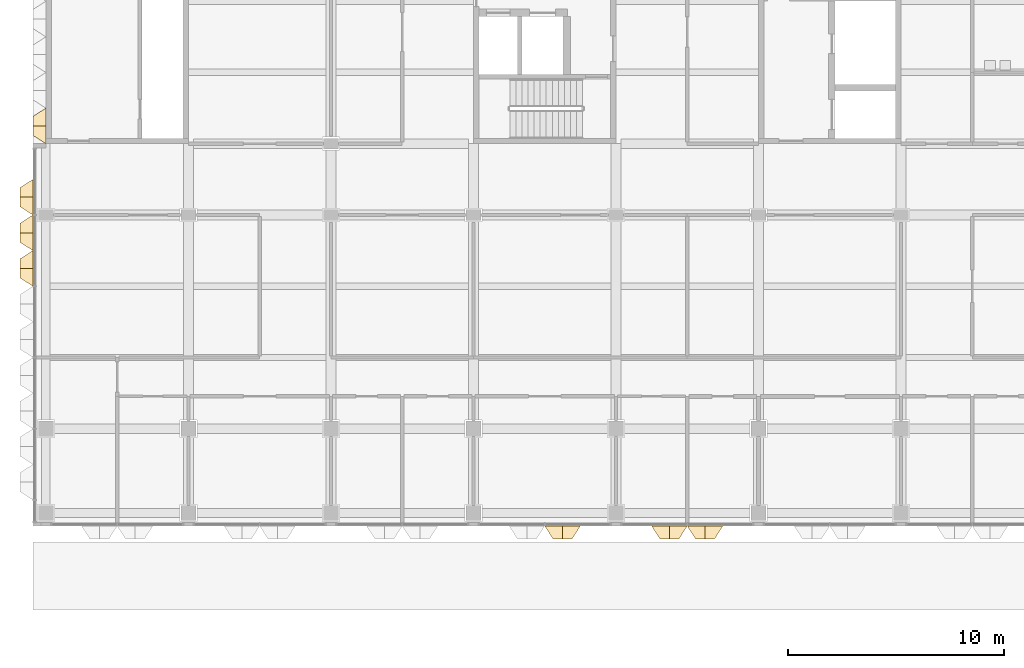
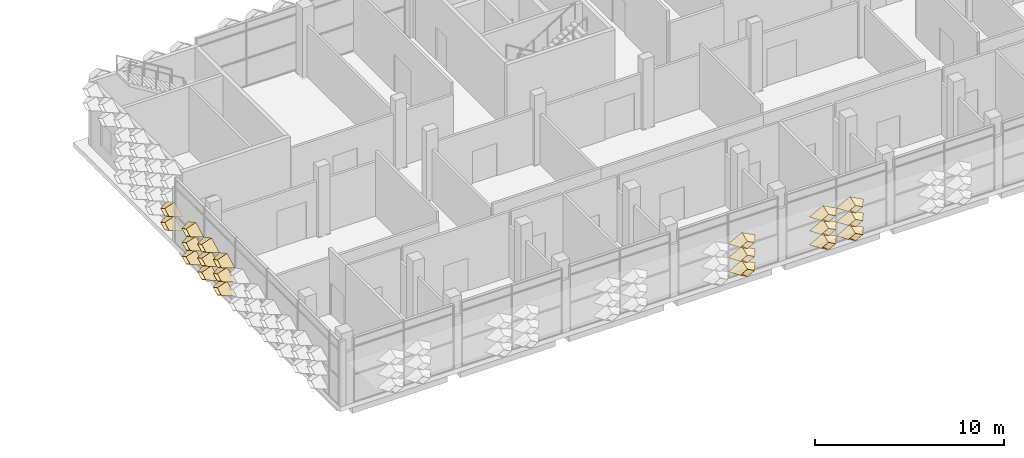
# One storey, part 64 of 109: 20 coverings.
"""IFC4 building model written with IfcOpenShell, lengths in metres."""

from ifc_helpers import new_model, entity, si_unit, direction, frame, origin, place, context, subcontext, project, spatial, material, layer, layer_set, type_object, element, save


model = new_model("IFC4")

# Units and contexts
model_context = context("Model", 3, precision=1e-05, world=origin(), true_north=direction((0.0, 1.0)))
body_context = subcontext(model_context, "Body", "Model", "MODEL_VIEW")
ifc_project = project(units=[si_unit("LENGTHUNIT", "METRE"), si_unit("AREAUNIT", "SQUARE_METRE"), si_unit("VOLUMEUNIT", "CUBIC_METRE"), si_unit("PLANEANGLEUNIT", "RADIAN"), si_unit("MASSUNIT", "GRAM", prefix="KILO")], contexts=[model_context])

# Site, building, storey
site_placement = place(None, origin())
site = spatial("IfcSite", under=ifc_project, at=site_placement, CompositionType="ELEMENT")
building_placement = place(site_placement, origin())
building = spatial("IfcBuilding", under=site, at=building_placement, Name="Lantern Court Research Institute", CompositionType="ELEMENT")
storey_placement = place(building_placement, frame((0.0, 0.0, 14.39990234375)))
storey = spatial("IfcBuildingStorey", under=building, at=storey_placement, Name="L03", CompositionType="ELEMENT", Elevation=14.39990234375)

# Coverings
ifc_material = material(Name="Anodised aluminium", Category="aluminium")
ifc_layer = layer(ifc_material, 0.01611328125)
ifc_layer_set = layer_set([ifc_layer], Name="Anodised aluminium")
covering_type = type_object("IfcCoveringType", Name="Fin cassette 1650 x 900 x 600 aluminium", PredefinedType="CLADDING", material=ifc_layer_set)
covering_1_placement = place(storey_placement, frame((23.925048828125, -4.5, 0.4501953125), z_axis=(0.0, -1.0, 0.0), x_axis=(1.0, 0.0, 0.0)))
cartesian_point_1 = entity("IfcCartesianPoint", [0.824951171875, 0.0])
cartesian_point_2 = entity("IfcCartesianPoint", [0.79150390625, 0.0])
cartesian_point_3 = entity("IfcCartesianPoint", [0.44189453125, 0.0])
cartesian_point_4 = entity("IfcCartesianPoint", [0.43359375, 0.0])
element("IfcCovering", 1, at=covering_1_placement, inside=storey, type_object=covering_type, Name="Fin cassette V4S-L03 1.15", PredefinedType="CLADDING", context=body_context, shape_type="SweptSolid", body=[
    entity("IfcExtrudedAreaSolidTapered", entity("IfcArbitraryProfileDefWithVoids", "AREA", None, entity("IfcPolyline", [cartesian_point_1, entity("IfcCartesianPoint", [0.0, 0.449951171875]), entity("IfcCartesianPoint", [-0.824951171875, 0.0]), entity("IfcCartesianPoint", [0.0, -0.449951171875]), cartesian_point_1]), [entity("IfcPolyline", [cartesian_point_2, entity("IfcCartesianPoint", [0.0, 0.431884765625]), entity("IfcCartesianPoint", [-0.79150390625, 0.0]), entity("IfcCartesianPoint", [0.0, -0.431884765625]), cartesian_point_2])]), entity("IfcAxis2Placement3D", entity("IfcCartesianPoint", [0.0, 0.0, 0.0])), entity("IfcDirection", [0.0, 0.0, 1.0]), 0.60009765625, entity("IfcArbitraryProfileDefWithVoids", "AREA", None, entity("IfcPolyline", [cartesian_point_3, entity("IfcCartesianPoint", [0.0, 0.240966796875]), entity("IfcCartesianPoint", [-0.44189453125, 0.0]), entity("IfcCartesianPoint", [0.0, -0.240966796875]), cartesian_point_3]), [entity("IfcPolyline", [cartesian_point_4, entity("IfcCartesianPoint", [0.0, 0.236572265625]), entity("IfcCartesianPoint", [-0.43359375, 0.0]), entity("IfcCartesianPoint", [0.0, -0.236572265625]), cartesian_point_4])])),
])
covering_2_placement = place(storey_placement, frame((28.875, -4.5, 0.4501953125), z_axis=(0.0, -1.0, 0.0), x_axis=(1.0, 0.0, 0.0)))
cartesian_point_5 = entity("IfcCartesianPoint", [0.824951171875, 0.0])
cartesian_point_6 = entity("IfcCartesianPoint", [0.79150390625, 0.0])
cartesian_point_7 = entity("IfcCartesianPoint", [0.44189453125, 0.0])
cartesian_point_8 = entity("IfcCartesianPoint", [0.43359375, 0.0])
element("IfcCovering", 2, at=covering_2_placement, inside=storey, type_object=covering_type, Name="Fin cassette V4S-L03 1.18", PredefinedType="CLADDING", context=body_context, shape_type="SweptSolid", body=[
    entity("IfcExtrudedAreaSolidTapered", entity("IfcArbitraryProfileDefWithVoids", "AREA", None, entity("IfcPolyline", [cartesian_point_5, entity("IfcCartesianPoint", [0.0, 0.449951171875]), entity("IfcCartesianPoint", [-0.824951171875, 0.0]), entity("IfcCartesianPoint", [0.0, -0.449951171875]), cartesian_point_5]), [entity("IfcPolyline", [cartesian_point_6, entity("IfcCartesianPoint", [0.0, 0.431884765625]), entity("IfcCartesianPoint", [-0.79150390625, 0.0]), entity("IfcCartesianPoint", [0.0, -0.431884765625]), cartesian_point_6])]), entity("IfcAxis2Placement3D", entity("IfcCartesianPoint", [0.0, 0.0, 0.0])), entity("IfcDirection", [0.0, 0.0, 1.0]), 0.60009765625, entity("IfcArbitraryProfileDefWithVoids", "AREA", None, entity("IfcPolyline", [cartesian_point_7, entity("IfcCartesianPoint", [0.0, 0.240966796875]), entity("IfcCartesianPoint", [-0.44189453125, 0.0]), entity("IfcCartesianPoint", [0.0, -0.240966796875]), cartesian_point_7]), [entity("IfcPolyline", [cartesian_point_8, entity("IfcCartesianPoint", [0.0, 0.236572265625]), entity("IfcCartesianPoint", [-0.43359375, 0.0]), entity("IfcCartesianPoint", [0.0, -0.236572265625]), cartesian_point_8])])),
])
covering_3_placement = place(storey_placement, frame((30.52490234375, -4.5, 0.4501953125), z_axis=(0.0, -1.0, 0.0), x_axis=(1.0, 0.0, 0.0)))
cartesian_point_9 = entity("IfcCartesianPoint", [0.824951171875, 0.0])
cartesian_point_10 = entity("IfcCartesianPoint", [0.79150390625, 0.0])
cartesian_point_11 = entity("IfcCartesianPoint", [0.44189453125, 0.0])
cartesian_point_12 = entity("IfcCartesianPoint", [0.43359375, 0.0])
element("IfcCovering", 3, at=covering_3_placement, inside=storey, type_object=covering_type, Name="Fin cassette V4S-L03 1.19", PredefinedType="CLADDING", context=body_context, shape_type="SweptSolid", body=[
    entity("IfcExtrudedAreaSolidTapered", entity("IfcArbitraryProfileDefWithVoids", "AREA", None, entity("IfcPolyline", [cartesian_point_9, entity("IfcCartesianPoint", [0.0, 0.449951171875]), entity("IfcCartesianPoint", [-0.824951171875, 0.0]), entity("IfcCartesianPoint", [0.0, -0.449951171875]), cartesian_point_9]), [entity("IfcPolyline", [cartesian_point_10, entity("IfcCartesianPoint", [0.0, 0.431884765625]), entity("IfcCartesianPoint", [-0.79150390625, 0.0]), entity("IfcCartesianPoint", [0.0, -0.431884765625]), cartesian_point_10])]), entity("IfcAxis2Placement3D", entity("IfcCartesianPoint", [0.0, 0.0, 0.0])), entity("IfcDirection", [0.0, 0.0, 1.0]), 0.60009765625, entity("IfcArbitraryProfileDefWithVoids", "AREA", None, entity("IfcPolyline", [cartesian_point_11, entity("IfcCartesianPoint", [0.0, 0.240966796875]), entity("IfcCartesianPoint", [-0.44189453125, 0.0]), entity("IfcCartesianPoint", [0.0, -0.240966796875]), cartesian_point_11]), [entity("IfcPolyline", [cartesian_point_12, entity("IfcCartesianPoint", [0.0, 0.236572265625]), entity("IfcCartesianPoint", [-0.43359375, 0.0]), entity("IfcCartesianPoint", [0.0, -0.236572265625]), cartesian_point_12])])),
])
covering_4_placement = place(storey_placement, frame((23.925048828125, -4.5, 1.35009765625), z_axis=(0.0, -1.0, 0.0), x_axis=(1.0, 0.0, 0.0)))
cartesian_point_13 = entity("IfcCartesianPoint", [0.824951171875, 0.0])
cartesian_point_14 = entity("IfcCartesianPoint", [0.79150390625, 0.0])
cartesian_point_15 = entity("IfcCartesianPoint", [0.44189453125, 0.0])
cartesian_point_16 = entity("IfcCartesianPoint", [0.43359375, 0.0])
element("IfcCovering", 4, at=covering_4_placement, inside=storey, type_object=covering_type, Name="Fin cassette V4S-L03 2.15", PredefinedType="CLADDING", context=body_context, shape_type="SweptSolid", body=[
    entity("IfcExtrudedAreaSolidTapered", entity("IfcArbitraryProfileDefWithVoids", "AREA", None, entity("IfcPolyline", [cartesian_point_13, entity("IfcCartesianPoint", [0.0, 0.449951171875]), entity("IfcCartesianPoint", [-0.824951171875, 0.0]), entity("IfcCartesianPoint", [0.0, -0.449951171875]), cartesian_point_13]), [entity("IfcPolyline", [cartesian_point_14, entity("IfcCartesianPoint", [0.0, 0.431884765625]), entity("IfcCartesianPoint", [-0.79150390625, 0.0]), entity("IfcCartesianPoint", [0.0, -0.431884765625]), cartesian_point_14])]), entity("IfcAxis2Placement3D", entity("IfcCartesianPoint", [0.0, 0.0, 0.0])), entity("IfcDirection", [0.0, 0.0, 1.0]), 0.60009765625, entity("IfcArbitraryProfileDefWithVoids", "AREA", None, entity("IfcPolyline", [cartesian_point_15, entity("IfcCartesianPoint", [0.0, 0.240966796875]), entity("IfcCartesianPoint", [-0.44189453125, 0.0]), entity("IfcCartesianPoint", [0.0, -0.240966796875]), cartesian_point_15]), [entity("IfcPolyline", [cartesian_point_16, entity("IfcCartesianPoint", [0.0, 0.236572265625]), entity("IfcCartesianPoint", [-0.43359375, 0.0]), entity("IfcCartesianPoint", [0.0, -0.236572265625]), cartesian_point_16])])),
])
covering_5_placement = place(storey_placement, frame((28.875, -4.5, 1.35009765625), z_axis=(0.0, -1.0, 0.0), x_axis=(1.0, 0.0, 0.0)))
cartesian_point_17 = entity("IfcCartesianPoint", [0.824951171875, 0.0])
cartesian_point_18 = entity("IfcCartesianPoint", [0.79150390625, 0.0])
cartesian_point_19 = entity("IfcCartesianPoint", [0.44189453125, 0.0])
cartesian_point_20 = entity("IfcCartesianPoint", [0.43359375, 0.0])
element("IfcCovering", 5, at=covering_5_placement, inside=storey, type_object=covering_type, Name="Fin cassette V4S-L03 2.18", PredefinedType="CLADDING", context=body_context, shape_type="SweptSolid", body=[
    entity("IfcExtrudedAreaSolidTapered", entity("IfcArbitraryProfileDefWithVoids", "AREA", None, entity("IfcPolyline", [cartesian_point_17, entity("IfcCartesianPoint", [0.0, 0.449951171875]), entity("IfcCartesianPoint", [-0.824951171875, 0.0]), entity("IfcCartesianPoint", [0.0, -0.449951171875]), cartesian_point_17]), [entity("IfcPolyline", [cartesian_point_18, entity("IfcCartesianPoint", [0.0, 0.431884765625]), entity("IfcCartesianPoint", [-0.79150390625, 0.0]), entity("IfcCartesianPoint", [0.0, -0.431884765625]), cartesian_point_18])]), entity("IfcAxis2Placement3D", entity("IfcCartesianPoint", [0.0, 0.0, 0.0])), entity("IfcDirection", [0.0, 0.0, 1.0]), 0.60009765625, entity("IfcArbitraryProfileDefWithVoids", "AREA", None, entity("IfcPolyline", [cartesian_point_19, entity("IfcCartesianPoint", [0.0, 0.240966796875]), entity("IfcCartesianPoint", [-0.44189453125, 0.0]), entity("IfcCartesianPoint", [0.0, -0.240966796875]), cartesian_point_19]), [entity("IfcPolyline", [cartesian_point_20, entity("IfcCartesianPoint", [0.0, 0.236572265625]), entity("IfcCartesianPoint", [-0.43359375, 0.0]), entity("IfcCartesianPoint", [0.0, -0.236572265625]), cartesian_point_20])])),
])
covering_6_placement = place(storey_placement, frame((30.52490234375, -4.5, 1.35009765625), z_axis=(0.0, -1.0, 0.0), x_axis=(1.0, 0.0, 0.0)))
cartesian_point_21 = entity("IfcCartesianPoint", [0.824951171875, 0.0])
cartesian_point_22 = entity("IfcCartesianPoint", [0.79150390625, 0.0])
cartesian_point_23 = entity("IfcCartesianPoint", [0.44189453125, 0.0])
cartesian_point_24 = entity("IfcCartesianPoint", [0.43359375, 0.0])
element("IfcCovering", 6, at=covering_6_placement, inside=storey, type_object=covering_type, Name="Fin cassette V4S-L03 2.19", PredefinedType="CLADDING", context=body_context, shape_type="SweptSolid", body=[
    entity("IfcExtrudedAreaSolidTapered", entity("IfcArbitraryProfileDefWithVoids", "AREA", None, entity("IfcPolyline", [cartesian_point_21, entity("IfcCartesianPoint", [0.0, 0.449951171875]), entity("IfcCartesianPoint", [-0.824951171875, 0.0]), entity("IfcCartesianPoint", [0.0, -0.449951171875]), cartesian_point_21]), [entity("IfcPolyline", [cartesian_point_22, entity("IfcCartesianPoint", [0.0, 0.431884765625]), entity("IfcCartesianPoint", [-0.79150390625, 0.0]), entity("IfcCartesianPoint", [0.0, -0.431884765625]), cartesian_point_22])]), entity("IfcAxis2Placement3D", entity("IfcCartesianPoint", [0.0, 0.0, 0.0])), entity("IfcDirection", [0.0, 0.0, 1.0]), 0.60009765625, entity("IfcArbitraryProfileDefWithVoids", "AREA", None, entity("IfcPolyline", [cartesian_point_23, entity("IfcCartesianPoint", [0.0, 0.240966796875]), entity("IfcCartesianPoint", [-0.44189453125, 0.0]), entity("IfcCartesianPoint", [0.0, -0.240966796875]), cartesian_point_23]), [entity("IfcPolyline", [cartesian_point_24, entity("IfcCartesianPoint", [0.0, 0.236572265625]), entity("IfcCartesianPoint", [-0.43359375, 0.0]), entity("IfcCartesianPoint", [0.0, -0.236572265625]), cartesian_point_24])])),
])
covering_7_placement = place(storey_placement, frame((23.925048828125, -4.5, 2.25), z_axis=(0.0, -1.0, 0.0), x_axis=(1.0, 0.0, 0.0)))
cartesian_point_25 = entity("IfcCartesianPoint", [0.824951171875, 0.0])
cartesian_point_26 = entity("IfcCartesianPoint", [0.79150390625, 0.0])
cartesian_point_27 = entity("IfcCartesianPoint", [0.44189453125, 0.0])
cartesian_point_28 = entity("IfcCartesianPoint", [0.43359375, 0.0])
element("IfcCovering", 7, at=covering_7_placement, inside=storey, type_object=covering_type, Name="Fin cassette V4S-L03 3.15", PredefinedType="CLADDING", context=body_context, shape_type="SweptSolid", body=[
    entity("IfcExtrudedAreaSolidTapered", entity("IfcArbitraryProfileDefWithVoids", "AREA", None, entity("IfcPolyline", [cartesian_point_25, entity("IfcCartesianPoint", [0.0, 0.449951171875]), entity("IfcCartesianPoint", [-0.824951171875, 0.0]), entity("IfcCartesianPoint", [0.0, -0.449951171875]), cartesian_point_25]), [entity("IfcPolyline", [cartesian_point_26, entity("IfcCartesianPoint", [0.0, 0.431884765625]), entity("IfcCartesianPoint", [-0.79150390625, 0.0]), entity("IfcCartesianPoint", [0.0, -0.431884765625]), cartesian_point_26])]), entity("IfcAxis2Placement3D", entity("IfcCartesianPoint", [0.0, 0.0, 0.0])), entity("IfcDirection", [0.0, 0.0, 1.0]), 0.60009765625, entity("IfcArbitraryProfileDefWithVoids", "AREA", None, entity("IfcPolyline", [cartesian_point_27, entity("IfcCartesianPoint", [0.0, 0.240966796875]), entity("IfcCartesianPoint", [-0.44189453125, 0.0]), entity("IfcCartesianPoint", [0.0, -0.240966796875]), cartesian_point_27]), [entity("IfcPolyline", [cartesian_point_28, entity("IfcCartesianPoint", [0.0, 0.236572265625]), entity("IfcCartesianPoint", [-0.43359375, 0.0]), entity("IfcCartesianPoint", [0.0, -0.236572265625]), cartesian_point_28])])),
])
covering_8_placement = place(storey_placement, frame((28.875, -4.5, 2.25), z_axis=(0.0, -1.0, 0.0), x_axis=(1.0, 0.0, 0.0)))
cartesian_point_29 = entity("IfcCartesianPoint", [0.824951171875, 0.0])
cartesian_point_30 = entity("IfcCartesianPoint", [0.79150390625, 0.0])
cartesian_point_31 = entity("IfcCartesianPoint", [0.44189453125, 0.0])
cartesian_point_32 = entity("IfcCartesianPoint", [0.43359375, 0.0])
element("IfcCovering", 8, at=covering_8_placement, inside=storey, type_object=covering_type, Name="Fin cassette V4S-L03 3.18", PredefinedType="CLADDING", context=body_context, shape_type="SweptSolid", body=[
    entity("IfcExtrudedAreaSolidTapered", entity("IfcArbitraryProfileDefWithVoids", "AREA", None, entity("IfcPolyline", [cartesian_point_29, entity("IfcCartesianPoint", [0.0, 0.449951171875]), entity("IfcCartesianPoint", [-0.824951171875, 0.0]), entity("IfcCartesianPoint", [0.0, -0.449951171875]), cartesian_point_29]), [entity("IfcPolyline", [cartesian_point_30, entity("IfcCartesianPoint", [0.0, 0.431884765625]), entity("IfcCartesianPoint", [-0.79150390625, 0.0]), entity("IfcCartesianPoint", [0.0, -0.431884765625]), cartesian_point_30])]), entity("IfcAxis2Placement3D", entity("IfcCartesianPoint", [0.0, 0.0, 0.0])), entity("IfcDirection", [0.0, 0.0, 1.0]), 0.60009765625, entity("IfcArbitraryProfileDefWithVoids", "AREA", None, entity("IfcPolyline", [cartesian_point_31, entity("IfcCartesianPoint", [0.0, 0.240966796875]), entity("IfcCartesianPoint", [-0.44189453125, 0.0]), entity("IfcCartesianPoint", [0.0, -0.240966796875]), cartesian_point_31]), [entity("IfcPolyline", [cartesian_point_32, entity("IfcCartesianPoint", [0.0, 0.236572265625]), entity("IfcCartesianPoint", [-0.43359375, 0.0]), entity("IfcCartesianPoint", [0.0, -0.236572265625]), cartesian_point_32])])),
])
covering_9_placement = place(storey_placement, frame((30.52490234375, -4.5, 2.25), z_axis=(0.0, -1.0, 0.0), x_axis=(1.0, 0.0, 0.0)))
cartesian_point_33 = entity("IfcCartesianPoint", [0.824951171875, 0.0])
cartesian_point_34 = entity("IfcCartesianPoint", [0.79150390625, 0.0])
cartesian_point_35 = entity("IfcCartesianPoint", [0.44189453125, 0.0])
cartesian_point_36 = entity("IfcCartesianPoint", [0.43359375, 0.0])
element("IfcCovering", 9, at=covering_9_placement, inside=storey, type_object=covering_type, Name="Fin cassette V4S-L03 3.19", PredefinedType="CLADDING", context=body_context, shape_type="SweptSolid", body=[
    entity("IfcExtrudedAreaSolidTapered", entity("IfcArbitraryProfileDefWithVoids", "AREA", None, entity("IfcPolyline", [cartesian_point_33, entity("IfcCartesianPoint", [0.0, 0.449951171875]), entity("IfcCartesianPoint", [-0.824951171875, 0.0]), entity("IfcCartesianPoint", [0.0, -0.449951171875]), cartesian_point_33]), [entity("IfcPolyline", [cartesian_point_34, entity("IfcCartesianPoint", [0.0, 0.431884765625]), entity("IfcCartesianPoint", [-0.79150390625, 0.0]), entity("IfcCartesianPoint", [0.0, -0.431884765625]), cartesian_point_34])]), entity("IfcAxis2Placement3D", entity("IfcCartesianPoint", [0.0, 0.0, 0.0])), entity("IfcDirection", [0.0, 0.0, 1.0]), 0.60009765625, entity("IfcArbitraryProfileDefWithVoids", "AREA", None, entity("IfcPolyline", [cartesian_point_35, entity("IfcCartesianPoint", [0.0, 0.240966796875]), entity("IfcCartesianPoint", [-0.44189453125, 0.0]), entity("IfcCartesianPoint", [0.0, -0.240966796875]), cartesian_point_35]), [entity("IfcPolyline", [cartesian_point_36, entity("IfcCartesianPoint", [0.0, 0.236572265625]), entity("IfcCartesianPoint", [-0.43359375, 0.0]), entity("IfcCartesianPoint", [0.0, -0.236572265625]), cartesian_point_36])])),
])
covering_10_placement = place(storey_placement, frame((0.0, 14.02490234375, 0.4501953125), z_axis=(-1.0, 0.0, 0.0), x_axis=(0.0, -1.0, 0.0)))
cartesian_point_37 = entity("IfcCartesianPoint", [0.824951171875, 0.0])
cartesian_point_38 = entity("IfcCartesianPoint", [0.79150390625, 0.0])
cartesian_point_39 = entity("IfcCartesianPoint", [0.44189453125, 0.0])
cartesian_point_40 = entity("IfcCartesianPoint", [0.43359375, 0.0])
element("IfcCovering", 10, at=covering_10_placement, inside=storey, type_object=covering_type, Name="Fin cassette V4W-L03 1.9", PredefinedType="CLADDING", context=body_context, shape_type="SweptSolid", body=[
    entity("IfcExtrudedAreaSolidTapered", entity("IfcArbitraryProfileDefWithVoids", "AREA", None, entity("IfcPolyline", [cartesian_point_37, entity("IfcCartesianPoint", [0.0, 0.449951171875]), entity("IfcCartesianPoint", [-0.824951171875, 0.0]), entity("IfcCartesianPoint", [0.0, -0.449951171875]), cartesian_point_37]), [entity("IfcPolyline", [cartesian_point_38, entity("IfcCartesianPoint", [0.0, 0.431884765625]), entity("IfcCartesianPoint", [-0.79150390625, 0.0]), entity("IfcCartesianPoint", [0.0, -0.431884765625]), cartesian_point_38])]), entity("IfcAxis2Placement3D", entity("IfcCartesianPoint", [0.0, 0.0, 0.0])), entity("IfcDirection", [0.0, 0.0, 1.0]), 0.60009765625, entity("IfcArbitraryProfileDefWithVoids", "AREA", None, entity("IfcPolyline", [cartesian_point_39, entity("IfcCartesianPoint", [0.0, 0.240966796875]), entity("IfcCartesianPoint", [-0.44189453125, 0.0]), entity("IfcCartesianPoint", [0.0, -0.240966796875]), cartesian_point_39]), [entity("IfcPolyline", [cartesian_point_40, entity("IfcCartesianPoint", [0.0, 0.236572265625]), entity("IfcCartesianPoint", [-0.43359375, 0.0]), entity("IfcCartesianPoint", [0.0, -0.236572265625]), cartesian_point_40])])),
])
covering_11_placement = place(storey_placement, frame((0.0, 14.02490234375, 1.35009765625), z_axis=(-1.0, 0.0, 0.0), x_axis=(0.0, -1.0, 0.0)))
cartesian_point_41 = entity("IfcCartesianPoint", [0.824951171875, 0.0])
cartesian_point_42 = entity("IfcCartesianPoint", [0.79150390625, 0.0])
cartesian_point_43 = entity("IfcCartesianPoint", [0.44189453125, 0.0])
cartesian_point_44 = entity("IfcCartesianPoint", [0.43359375, 0.0])
element("IfcCovering", 11, at=covering_11_placement, inside=storey, type_object=covering_type, Name="Fin cassette V4W-L03 2.9", PredefinedType="CLADDING", context=body_context, shape_type="SweptSolid", body=[
    entity("IfcExtrudedAreaSolidTapered", entity("IfcArbitraryProfileDefWithVoids", "AREA", None, entity("IfcPolyline", [cartesian_point_41, entity("IfcCartesianPoint", [0.0, 0.449951171875]), entity("IfcCartesianPoint", [-0.824951171875, 0.0]), entity("IfcCartesianPoint", [0.0, -0.449951171875]), cartesian_point_41]), [entity("IfcPolyline", [cartesian_point_42, entity("IfcCartesianPoint", [0.0, 0.431884765625]), entity("IfcCartesianPoint", [-0.79150390625, 0.0]), entity("IfcCartesianPoint", [0.0, -0.431884765625]), cartesian_point_42])]), entity("IfcAxis2Placement3D", entity("IfcCartesianPoint", [0.0, 0.0, 0.0])), entity("IfcDirection", [0.0, 0.0, 1.0]), 0.60009765625, entity("IfcArbitraryProfileDefWithVoids", "AREA", None, entity("IfcPolyline", [cartesian_point_43, entity("IfcCartesianPoint", [0.0, 0.240966796875]), entity("IfcCartesianPoint", [-0.44189453125, 0.0]), entity("IfcCartesianPoint", [0.0, -0.240966796875]), cartesian_point_43]), [entity("IfcPolyline", [cartesian_point_44, entity("IfcCartesianPoint", [0.0, 0.236572265625]), entity("IfcCartesianPoint", [-0.43359375, 0.0]), entity("IfcCartesianPoint", [0.0, -0.236572265625]), cartesian_point_44])])),
])
covering_12_placement = place(storey_placement, frame((-0.60009765625, 7.425048828125, 0.4501953125), z_axis=(-1.0, 0.0, 0.0), x_axis=(0.0, -1.0, 0.0)))
cartesian_point_45 = entity("IfcCartesianPoint", [0.824951171875, 0.0])
cartesian_point_46 = entity("IfcCartesianPoint", [0.79150390625, 0.0])
cartesian_point_47 = entity("IfcCartesianPoint", [0.44189453125, 0.0])
cartesian_point_48 = entity("IfcCartesianPoint", [0.43359375, 0.0])
element("IfcCovering", 12, at=covering_12_placement, inside=storey, type_object=covering_type, Name="Fin cassette V4W-L03 1.5", PredefinedType="CLADDING", context=body_context, shape_type="SweptSolid", body=[
    entity("IfcExtrudedAreaSolidTapered", entity("IfcArbitraryProfileDefWithVoids", "AREA", None, entity("IfcPolyline", [cartesian_point_45, entity("IfcCartesianPoint", [0.0, 0.449951171875]), entity("IfcCartesianPoint", [-0.824951171875, 0.0]), entity("IfcCartesianPoint", [0.0, -0.449951171875]), cartesian_point_45]), [entity("IfcPolyline", [cartesian_point_46, entity("IfcCartesianPoint", [0.0, 0.431884765625]), entity("IfcCartesianPoint", [-0.79150390625, 0.0]), entity("IfcCartesianPoint", [0.0, -0.431884765625]), cartesian_point_46])]), entity("IfcAxis2Placement3D", entity("IfcCartesianPoint", [0.0, 0.0, 0.0])), entity("IfcDirection", [0.0, 0.0, 1.0]), 0.60009765625, entity("IfcArbitraryProfileDefWithVoids", "AREA", None, entity("IfcPolyline", [cartesian_point_47, entity("IfcCartesianPoint", [0.0, 0.240966796875]), entity("IfcCartesianPoint", [-0.44189453125, 0.0]), entity("IfcCartesianPoint", [0.0, -0.240966796875]), cartesian_point_47]), [entity("IfcPolyline", [cartesian_point_48, entity("IfcCartesianPoint", [0.0, 0.236572265625]), entity("IfcCartesianPoint", [-0.43359375, 0.0]), entity("IfcCartesianPoint", [0.0, -0.236572265625]), cartesian_point_48])])),
])
covering_13_placement = place(storey_placement, frame((-0.60009765625, 9.074951171875, 0.4501953125), z_axis=(-1.0, 0.0, 0.0), x_axis=(0.0, -1.0, 0.0)))
cartesian_point_49 = entity("IfcCartesianPoint", [0.824951171875, 0.0])
cartesian_point_50 = entity("IfcCartesianPoint", [0.79150390625, 0.0])
cartesian_point_51 = entity("IfcCartesianPoint", [0.44189453125, 0.0])
cartesian_point_52 = entity("IfcCartesianPoint", [0.43359375, 0.0])
element("IfcCovering", 13, at=covering_13_placement, inside=storey, type_object=covering_type, Name="Fin cassette V4W-L03 1.6", PredefinedType="CLADDING", context=body_context, shape_type="SweptSolid", body=[
    entity("IfcExtrudedAreaSolidTapered", entity("IfcArbitraryProfileDefWithVoids", "AREA", None, entity("IfcPolyline", [cartesian_point_49, entity("IfcCartesianPoint", [0.0, 0.449951171875]), entity("IfcCartesianPoint", [-0.824951171875, 0.0]), entity("IfcCartesianPoint", [0.0, -0.449951171875]), cartesian_point_49]), [entity("IfcPolyline", [cartesian_point_50, entity("IfcCartesianPoint", [0.0, 0.431884765625]), entity("IfcCartesianPoint", [-0.79150390625, 0.0]), entity("IfcCartesianPoint", [0.0, -0.431884765625]), cartesian_point_50])]), entity("IfcAxis2Placement3D", entity("IfcCartesianPoint", [0.0, 0.0, 0.0])), entity("IfcDirection", [0.0, 0.0, 1.0]), 0.60009765625, entity("IfcArbitraryProfileDefWithVoids", "AREA", None, entity("IfcPolyline", [cartesian_point_51, entity("IfcCartesianPoint", [0.0, 0.240966796875]), entity("IfcCartesianPoint", [-0.44189453125, 0.0]), entity("IfcCartesianPoint", [0.0, -0.240966796875]), cartesian_point_51]), [entity("IfcPolyline", [cartesian_point_52, entity("IfcCartesianPoint", [0.0, 0.236572265625]), entity("IfcCartesianPoint", [-0.43359375, 0.0]), entity("IfcCartesianPoint", [0.0, -0.236572265625]), cartesian_point_52])])),
])
covering_14_placement = place(storey_placement, frame((-0.60009765625, 10.72509765625, 0.4501953125), z_axis=(-1.0, 0.0, 0.0), x_axis=(0.0, -1.0, 0.0)))
cartesian_point_53 = entity("IfcCartesianPoint", [0.824951171875, 0.0])
cartesian_point_54 = entity("IfcCartesianPoint", [0.79150390625, 0.0])
cartesian_point_55 = entity("IfcCartesianPoint", [0.44189453125, 0.0])
cartesian_point_56 = entity("IfcCartesianPoint", [0.43359375, 0.0])
element("IfcCovering", 14, at=covering_14_placement, inside=storey, type_object=covering_type, Name="Fin cassette V4W-L03 1.7", PredefinedType="CLADDING", context=body_context, shape_type="SweptSolid", body=[
    entity("IfcExtrudedAreaSolidTapered", entity("IfcArbitraryProfileDefWithVoids", "AREA", None, entity("IfcPolyline", [cartesian_point_53, entity("IfcCartesianPoint", [0.0, 0.449951171875]), entity("IfcCartesianPoint", [-0.824951171875, 0.0]), entity("IfcCartesianPoint", [0.0, -0.449951171875]), cartesian_point_53]), [entity("IfcPolyline", [cartesian_point_54, entity("IfcCartesianPoint", [0.0, 0.431884765625]), entity("IfcCartesianPoint", [-0.79150390625, 0.0]), entity("IfcCartesianPoint", [0.0, -0.431884765625]), cartesian_point_54])]), entity("IfcAxis2Placement3D", entity("IfcCartesianPoint", [0.0, 0.0, 0.0])), entity("IfcDirection", [0.0, 0.0, 1.0]), 0.60009765625, entity("IfcArbitraryProfileDefWithVoids", "AREA", None, entity("IfcPolyline", [cartesian_point_55, entity("IfcCartesianPoint", [0.0, 0.240966796875]), entity("IfcCartesianPoint", [-0.44189453125, 0.0]), entity("IfcCartesianPoint", [0.0, -0.240966796875]), cartesian_point_55]), [entity("IfcPolyline", [cartesian_point_56, entity("IfcCartesianPoint", [0.0, 0.236572265625]), entity("IfcCartesianPoint", [-0.43359375, 0.0]), entity("IfcCartesianPoint", [0.0, -0.236572265625]), cartesian_point_56])])),
])
covering_15_placement = place(storey_placement, frame((-0.60009765625, 7.425048828125, 1.35009765625), z_axis=(-1.0, 0.0, 0.0), x_axis=(0.0, -1.0, 0.0)))
cartesian_point_57 = entity("IfcCartesianPoint", [0.824951171875, 0.0])
cartesian_point_58 = entity("IfcCartesianPoint", [0.79150390625, 0.0])
cartesian_point_59 = entity("IfcCartesianPoint", [0.44189453125, 0.0])
cartesian_point_60 = entity("IfcCartesianPoint", [0.43359375, 0.0])
element("IfcCovering", 15, at=covering_15_placement, inside=storey, type_object=covering_type, Name="Fin cassette V4W-L03 2.5", PredefinedType="CLADDING", context=body_context, shape_type="SweptSolid", body=[
    entity("IfcExtrudedAreaSolidTapered", entity("IfcArbitraryProfileDefWithVoids", "AREA", None, entity("IfcPolyline", [cartesian_point_57, entity("IfcCartesianPoint", [0.0, 0.449951171875]), entity("IfcCartesianPoint", [-0.824951171875, 0.0]), entity("IfcCartesianPoint", [0.0, -0.449951171875]), cartesian_point_57]), [entity("IfcPolyline", [cartesian_point_58, entity("IfcCartesianPoint", [0.0, 0.431884765625]), entity("IfcCartesianPoint", [-0.79150390625, 0.0]), entity("IfcCartesianPoint", [0.0, -0.431884765625]), cartesian_point_58])]), entity("IfcAxis2Placement3D", entity("IfcCartesianPoint", [0.0, 0.0, 0.0])), entity("IfcDirection", [0.0, 0.0, 1.0]), 0.60009765625, entity("IfcArbitraryProfileDefWithVoids", "AREA", None, entity("IfcPolyline", [cartesian_point_59, entity("IfcCartesianPoint", [0.0, 0.240966796875]), entity("IfcCartesianPoint", [-0.44189453125, 0.0]), entity("IfcCartesianPoint", [0.0, -0.240966796875]), cartesian_point_59]), [entity("IfcPolyline", [cartesian_point_60, entity("IfcCartesianPoint", [0.0, 0.236572265625]), entity("IfcCartesianPoint", [-0.43359375, 0.0]), entity("IfcCartesianPoint", [0.0, -0.236572265625]), cartesian_point_60])])),
])
covering_16_placement = place(storey_placement, frame((-0.60009765625, 9.074951171875, 1.35009765625), z_axis=(-1.0, 0.0, 0.0), x_axis=(0.0, -1.0, 0.0)))
cartesian_point_61 = entity("IfcCartesianPoint", [0.824951171875, 0.0])
cartesian_point_62 = entity("IfcCartesianPoint", [0.79150390625, 0.0])
cartesian_point_63 = entity("IfcCartesianPoint", [0.44189453125, 0.0])
cartesian_point_64 = entity("IfcCartesianPoint", [0.43359375, 0.0])
element("IfcCovering", 16, at=covering_16_placement, inside=storey, type_object=covering_type, Name="Fin cassette V4W-L03 2.6", PredefinedType="CLADDING", context=body_context, shape_type="SweptSolid", body=[
    entity("IfcExtrudedAreaSolidTapered", entity("IfcArbitraryProfileDefWithVoids", "AREA", None, entity("IfcPolyline", [cartesian_point_61, entity("IfcCartesianPoint", [0.0, 0.449951171875]), entity("IfcCartesianPoint", [-0.824951171875, 0.0]), entity("IfcCartesianPoint", [0.0, -0.449951171875]), cartesian_point_61]), [entity("IfcPolyline", [cartesian_point_62, entity("IfcCartesianPoint", [0.0, 0.431884765625]), entity("IfcCartesianPoint", [-0.79150390625, 0.0]), entity("IfcCartesianPoint", [0.0, -0.431884765625]), cartesian_point_62])]), entity("IfcAxis2Placement3D", entity("IfcCartesianPoint", [0.0, 0.0, 0.0])), entity("IfcDirection", [0.0, 0.0, 1.0]), 0.60009765625, entity("IfcArbitraryProfileDefWithVoids", "AREA", None, entity("IfcPolyline", [cartesian_point_63, entity("IfcCartesianPoint", [0.0, 0.240966796875]), entity("IfcCartesianPoint", [-0.44189453125, 0.0]), entity("IfcCartesianPoint", [0.0, -0.240966796875]), cartesian_point_63]), [entity("IfcPolyline", [cartesian_point_64, entity("IfcCartesianPoint", [0.0, 0.236572265625]), entity("IfcCartesianPoint", [-0.43359375, 0.0]), entity("IfcCartesianPoint", [0.0, -0.236572265625]), cartesian_point_64])])),
])
covering_17_placement = place(storey_placement, frame((-0.60009765625, 10.72509765625, 1.35009765625), z_axis=(-1.0, 0.0, 0.0), x_axis=(0.0, -1.0, 0.0)))
cartesian_point_65 = entity("IfcCartesianPoint", [0.824951171875, 0.0])
cartesian_point_66 = entity("IfcCartesianPoint", [0.79150390625, 0.0])
cartesian_point_67 = entity("IfcCartesianPoint", [0.44189453125, 0.0])
cartesian_point_68 = entity("IfcCartesianPoint", [0.43359375, 0.0])
element("IfcCovering", 17, at=covering_17_placement, inside=storey, type_object=covering_type, Name="Fin cassette V4W-L03 2.7", PredefinedType="CLADDING", context=body_context, shape_type="SweptSolid", body=[
    entity("IfcExtrudedAreaSolidTapered", entity("IfcArbitraryProfileDefWithVoids", "AREA", None, entity("IfcPolyline", [cartesian_point_65, entity("IfcCartesianPoint", [0.0, 0.449951171875]), entity("IfcCartesianPoint", [-0.824951171875, 0.0]), entity("IfcCartesianPoint", [0.0, -0.449951171875]), cartesian_point_65]), [entity("IfcPolyline", [cartesian_point_66, entity("IfcCartesianPoint", [0.0, 0.431884765625]), entity("IfcCartesianPoint", [-0.79150390625, 0.0]), entity("IfcCartesianPoint", [0.0, -0.431884765625]), cartesian_point_66])]), entity("IfcAxis2Placement3D", entity("IfcCartesianPoint", [0.0, 0.0, 0.0])), entity("IfcDirection", [0.0, 0.0, 1.0]), 0.60009765625, entity("IfcArbitraryProfileDefWithVoids", "AREA", None, entity("IfcPolyline", [cartesian_point_67, entity("IfcCartesianPoint", [0.0, 0.240966796875]), entity("IfcCartesianPoint", [-0.44189453125, 0.0]), entity("IfcCartesianPoint", [0.0, -0.240966796875]), cartesian_point_67]), [entity("IfcPolyline", [cartesian_point_68, entity("IfcCartesianPoint", [0.0, 0.236572265625]), entity("IfcCartesianPoint", [-0.43359375, 0.0]), entity("IfcCartesianPoint", [0.0, -0.236572265625]), cartesian_point_68])])),
])
covering_18_placement = place(storey_placement, frame((-0.60009765625, 7.425048828125, 2.25), z_axis=(-1.0, 0.0, 0.0), x_axis=(0.0, -1.0, 0.0)))
cartesian_point_69 = entity("IfcCartesianPoint", [0.824951171875, 0.0])
cartesian_point_70 = entity("IfcCartesianPoint", [0.79150390625, 0.0])
cartesian_point_71 = entity("IfcCartesianPoint", [0.44189453125, 0.0])
cartesian_point_72 = entity("IfcCartesianPoint", [0.43359375, 0.0])
element("IfcCovering", 18, at=covering_18_placement, inside=storey, type_object=covering_type, Name="Fin cassette V4W-L03 3.5", PredefinedType="CLADDING", context=body_context, shape_type="SweptSolid", body=[
    entity("IfcExtrudedAreaSolidTapered", entity("IfcArbitraryProfileDefWithVoids", "AREA", None, entity("IfcPolyline", [cartesian_point_69, entity("IfcCartesianPoint", [0.0, 0.449951171875]), entity("IfcCartesianPoint", [-0.824951171875, 0.0]), entity("IfcCartesianPoint", [0.0, -0.449951171875]), cartesian_point_69]), [entity("IfcPolyline", [cartesian_point_70, entity("IfcCartesianPoint", [0.0, 0.431884765625]), entity("IfcCartesianPoint", [-0.79150390625, 0.0]), entity("IfcCartesianPoint", [0.0, -0.431884765625]), cartesian_point_70])]), entity("IfcAxis2Placement3D", entity("IfcCartesianPoint", [0.0, 0.0, 0.0])), entity("IfcDirection", [0.0, 0.0, 1.0]), 0.60009765625, entity("IfcArbitraryProfileDefWithVoids", "AREA", None, entity("IfcPolyline", [cartesian_point_71, entity("IfcCartesianPoint", [0.0, 0.240966796875]), entity("IfcCartesianPoint", [-0.44189453125, 0.0]), entity("IfcCartesianPoint", [0.0, -0.240966796875]), cartesian_point_71]), [entity("IfcPolyline", [cartesian_point_72, entity("IfcCartesianPoint", [0.0, 0.236572265625]), entity("IfcCartesianPoint", [-0.43359375, 0.0]), entity("IfcCartesianPoint", [0.0, -0.236572265625]), cartesian_point_72])])),
])
covering_19_placement = place(storey_placement, frame((-0.60009765625, 9.074951171875, 2.25), z_axis=(-1.0, 0.0, 0.0), x_axis=(0.0, -1.0, 0.0)))
cartesian_point_73 = entity("IfcCartesianPoint", [0.824951171875, 0.0])
cartesian_point_74 = entity("IfcCartesianPoint", [0.79150390625, 0.0])
cartesian_point_75 = entity("IfcCartesianPoint", [0.44189453125, 0.0])
cartesian_point_76 = entity("IfcCartesianPoint", [0.43359375, 0.0])
element("IfcCovering", 19, at=covering_19_placement, inside=storey, type_object=covering_type, Name="Fin cassette V4W-L03 3.6", PredefinedType="CLADDING", context=body_context, shape_type="SweptSolid", body=[
    entity("IfcExtrudedAreaSolidTapered", entity("IfcArbitraryProfileDefWithVoids", "AREA", None, entity("IfcPolyline", [cartesian_point_73, entity("IfcCartesianPoint", [0.0, 0.449951171875]), entity("IfcCartesianPoint", [-0.824951171875, 0.0]), entity("IfcCartesianPoint", [0.0, -0.449951171875]), cartesian_point_73]), [entity("IfcPolyline", [cartesian_point_74, entity("IfcCartesianPoint", [0.0, 0.431884765625]), entity("IfcCartesianPoint", [-0.79150390625, 0.0]), entity("IfcCartesianPoint", [0.0, -0.431884765625]), cartesian_point_74])]), entity("IfcAxis2Placement3D", entity("IfcCartesianPoint", [0.0, 0.0, 0.0])), entity("IfcDirection", [0.0, 0.0, 1.0]), 0.60009765625, entity("IfcArbitraryProfileDefWithVoids", "AREA", None, entity("IfcPolyline", [cartesian_point_75, entity("IfcCartesianPoint", [0.0, 0.240966796875]), entity("IfcCartesianPoint", [-0.44189453125, 0.0]), entity("IfcCartesianPoint", [0.0, -0.240966796875]), cartesian_point_75]), [entity("IfcPolyline", [cartesian_point_76, entity("IfcCartesianPoint", [0.0, 0.236572265625]), entity("IfcCartesianPoint", [-0.43359375, 0.0]), entity("IfcCartesianPoint", [0.0, -0.236572265625]), cartesian_point_76])])),
])
covering_20_placement = place(storey_placement, frame((-0.60009765625, 10.72509765625, 2.25), z_axis=(-1.0, 0.0, 0.0), x_axis=(0.0, -1.0, 0.0)))
cartesian_point_77 = entity("IfcCartesianPoint", [0.824951171875, 0.0])
cartesian_point_78 = entity("IfcCartesianPoint", [0.79150390625, 0.0])
cartesian_point_79 = entity("IfcCartesianPoint", [0.44189453125, 0.0])
cartesian_point_80 = entity("IfcCartesianPoint", [0.43359375, 0.0])
element("IfcCovering", 20, at=covering_20_placement, inside=storey, type_object=covering_type, Name="Fin cassette V4W-L03 3.7", PredefinedType="CLADDING", context=body_context, shape_type="SweptSolid", body=[
    entity("IfcExtrudedAreaSolidTapered", entity("IfcArbitraryProfileDefWithVoids", "AREA", None, entity("IfcPolyline", [cartesian_point_77, entity("IfcCartesianPoint", [0.0, 0.449951171875]), entity("IfcCartesianPoint", [-0.824951171875, 0.0]), entity("IfcCartesianPoint", [0.0, -0.449951171875]), cartesian_point_77]), [entity("IfcPolyline", [cartesian_point_78, entity("IfcCartesianPoint", [0.0, 0.431884765625]), entity("IfcCartesianPoint", [-0.79150390625, 0.0]), entity("IfcCartesianPoint", [0.0, -0.431884765625]), cartesian_point_78])]), entity("IfcAxis2Placement3D", entity("IfcCartesianPoint", [0.0, 0.0, 0.0])), entity("IfcDirection", [0.0, 0.0, 1.0]), 0.60009765625, entity("IfcArbitraryProfileDefWithVoids", "AREA", None, entity("IfcPolyline", [cartesian_point_79, entity("IfcCartesianPoint", [0.0, 0.240966796875]), entity("IfcCartesianPoint", [-0.44189453125, 0.0]), entity("IfcCartesianPoint", [0.0, -0.240966796875]), cartesian_point_79]), [entity("IfcPolyline", [cartesian_point_80, entity("IfcCartesianPoint", [0.0, 0.236572265625]), entity("IfcCartesianPoint", [-0.43359375, 0.0]), entity("IfcCartesianPoint", [0.0, -0.236572265625]), cartesian_point_80])])),
])

save(model, "model.ifc")
